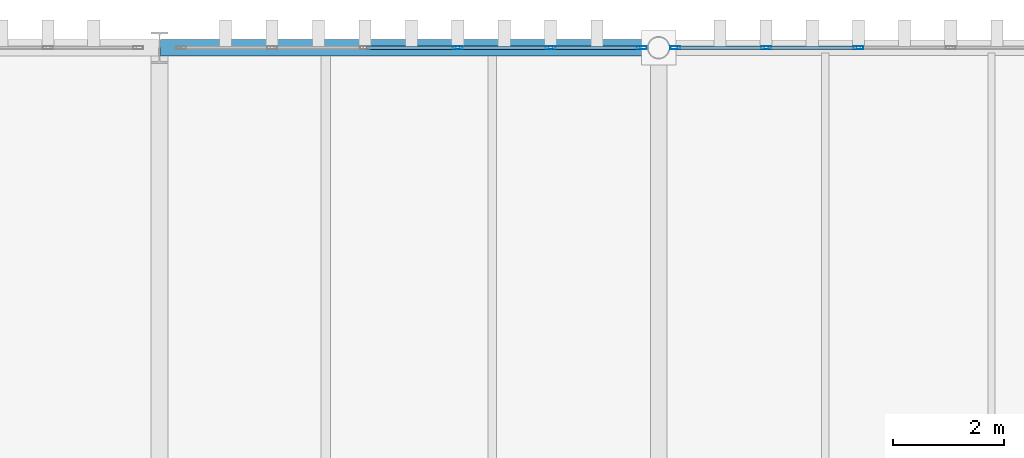
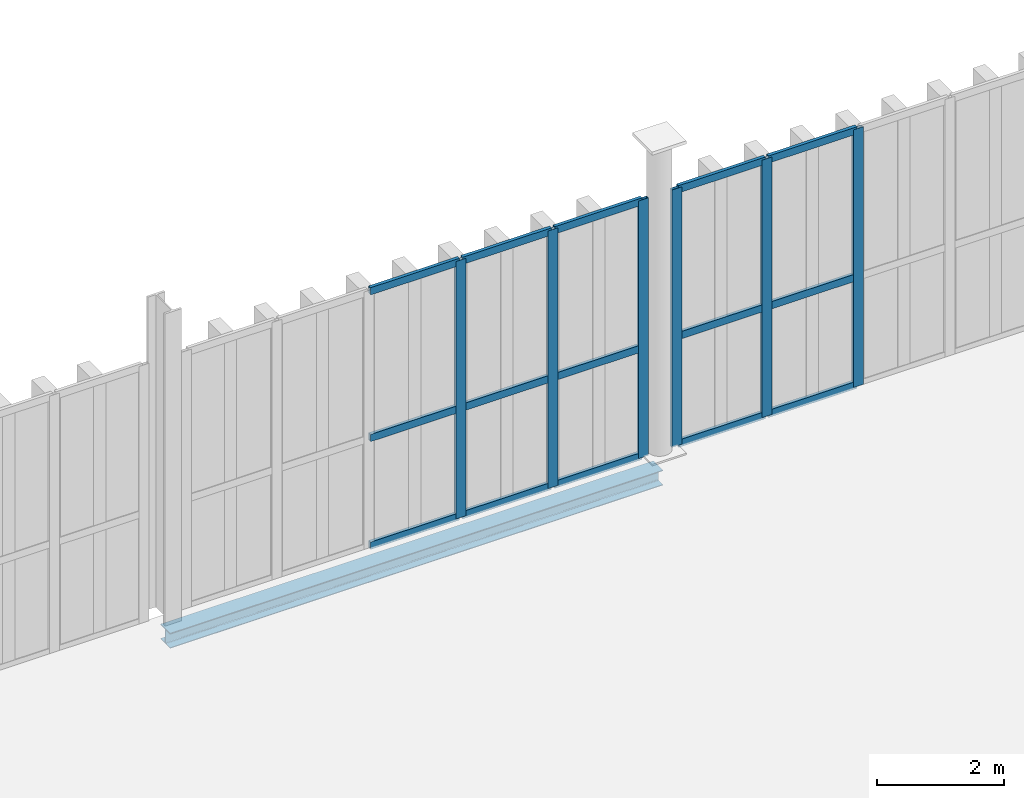
# One storey, part 141 of 211: 21 members, 1 beam, 2 elements without a shape of their own.
"""IFC4 building model written with IfcOpenShell, lengths in metres."""

from ifc_helpers import new_model, si_unit, direction, frame, origin, origin_2d, place, context, subcontext, project, spatial, hollow_rectangle, i_section, extrude, material, layer, layer_set, material_profile, profile_set, type_object, element, aggregate, save


model = new_model("IFC4")

# Units and contexts
model_context = context("Model", 3, precision=1e-05, world=origin(), true_north=direction((0.0, 1.0)))
body_context = subcontext(model_context, "Body", "Model", "MODEL_VIEW")
ifc_project = project(units=[si_unit("LENGTHUNIT", "METRE"), si_unit("AREAUNIT", "SQUARE_METRE"), si_unit("VOLUMEUNIT", "CUBIC_METRE"), si_unit("PLANEANGLEUNIT", "RADIAN"), si_unit("MASSUNIT", "GRAM", prefix="KILO")], contexts=[model_context])

# Site, building, storey
site_placement = place(None, origin())
site = spatial("IfcSite", under=ifc_project, at=site_placement, CompositionType="ELEMENT")
building_placement = place(site_placement, origin())
building = spatial("IfcBuilding", under=site, at=building_placement, Name="Barlavento Convention Centre", CompositionType="ELEMENT")
storey_placement = place(building_placement, frame((0.0, 0.0, 6.0)))
storey = spatial("IfcBuildingStorey", under=building, at=storey_placement, Name="L01", CompositionType="ELEMENT", Elevation=6.0)

# Curtain wall, members
ifc_material_1 = material(Name="Powder-coated aluminium and Low-E glass", Category="aluminium")
ifc_layer = layer(ifc_material_1, 0.179931640625)
ifc_layer_set = layer_set([ifc_layer], Name="ARC-CW-EXH-L01")
curtain_wall_type = type_object("IfcCurtainWallType", Name="ARC-CW-EXH-L01", PredefinedType="NOTDEFINED", material=ifc_layer_set)
curtain_wall_1_placement = place(storey_placement, origin())
curtain_wall_1 = element("IfcCurtainWall", 1, at=curtain_wall_1_placement, inside=storey, type_object=curtain_wall_type, Name="L01 unitised curtain wall CW04", PredefinedType="NOTDEFINED")
ifc_material_2 = material(Name="Powder-coated aluminium", Category="aluminium")
ifc_material_profile_1 = material_profile(ifc_material_2, hollow_rectangle(XDim=0.06005859375, YDim=0.179931640625, WallThickness=0.0048828125, at=origin_2d()), Name="AL-MULL 60x180x5")
ifc_profile_set_1 = profile_set([ifc_material_profile_1], Name="Powder-coated aluminium")
member_type_1 = type_object("IfcMemberType", Name="ARC-CWM-60X180", PredefinedType="MULLION", material=ifc_profile_set_1)
member_1_placement = place(storey_placement, frame((50.37841796875, 135.0, 0.0), z_axis=(0.0, 0.0, 1.0), x_axis=(0.0, 1.0, 0.0)))
member_1 = element("IfcMember", 2, at=member_1_placement, type_object=member_type_1, Name="CW04 mullion 4", PredefinedType="MULLION", context=body_context, shape_type="SweptSolid", body=[
    extrude(hollow_rectangle(XDim=0.06005859375, YDim=0.179931640625, WallThickness=0.0048828125, at=origin_2d()), origin(), (0.0, 0.0, 1.0), 4.949951171875),
])
member_2_placement = place(storey_placement, frame((52.052734375, 135.0, 0.0), z_axis=(0.0, 0.0, 1.0), x_axis=(0.0, 1.0, 0.0)))
member_2 = element("IfcMember", 3, at=member_2_placement, type_object=member_type_1, Name="CW04 mullion 5", PredefinedType="MULLION", context=body_context, shape_type="SweptSolid", body=[
    extrude(hollow_rectangle(XDim=0.06005859375, YDim=0.179931640625, WallThickness=0.0048828125, at=origin_2d()), origin(), (0.0, 0.0, 1.0), 4.949951171875),
])
member_3_placement = place(storey_placement, frame((53.69677734375, 135.0, 0.0), z_axis=(0.0, 0.0, 1.0), x_axis=(0.0, 1.0, 0.0)))
member_3 = element("IfcMember", 4, at=member_3_placement, type_object=member_type_1, Name="CW04 mullion 6", PredefinedType="MULLION", context=body_context, shape_type="SweptSolid", body=[
    extrude(hollow_rectangle(XDim=0.06005859375, YDim=0.179931640625, WallThickness=0.0048828125, at=origin_2d()), origin(), (0.0, 0.0, 1.0), 4.949951171875),
])

curtain_wall_2_placement = place(storey_placement, origin())
curtain_wall_2 = element("IfcCurtainWall", 5, at=curtain_wall_2_placement, inside=storey, type_object=curtain_wall_type, Name="L01 unitised curtain wall CW04", PredefinedType="NOTDEFINED")
member_4_placement = place(storey_placement, frame((54.30322265625, 135.0, 0.0), z_axis=(0.0, 0.0, 1.0), x_axis=(0.0, 1.0, 0.0)))
member_4 = element("IfcMember", 6, at=member_4_placement, type_object=member_type_1, Name="CW04 mullion 1", PredefinedType="MULLION", context=body_context, shape_type="SweptSolid", body=[
    extrude(hollow_rectangle(XDim=0.06005859375, YDim=0.179931640625, WallThickness=0.0048828125, at=origin_2d()), origin(), (0.0, 0.0, 1.0), 4.949951171875),
])
member_5_placement = place(storey_placement, frame((55.937744140625, 135.0, 0.0), z_axis=(0.0, 0.0, 1.0), x_axis=(0.0, 1.0, 0.0)))
member_5 = element("IfcMember", 7, at=member_5_placement, type_object=member_type_1, Name="CW04 mullion 2", PredefinedType="MULLION", context=body_context, shape_type="SweptSolid", body=[
    extrude(hollow_rectangle(XDim=0.06005859375, YDim=0.179931640625, WallThickness=0.0048828125, at=origin_2d()), origin(), (0.0, 0.0, 1.0), 4.949951171875),
])
member_6_placement = place(storey_placement, frame((57.602294921875, 135.0, 0.0), z_axis=(0.0, 0.0, 1.0), x_axis=(0.0, 1.0, 0.0)))
member_6 = element("IfcMember", 8, at=member_6_placement, type_object=member_type_1, Name="CW04 mullion 3", PredefinedType="MULLION", context=body_context, shape_type="SweptSolid", body=[
    extrude(hollow_rectangle(XDim=0.06005859375, YDim=0.179931640625, WallThickness=0.0048828125, at=origin_2d()), origin(), (0.0, 0.0, 1.0), 4.949951171875),
])

# Member
ifc_material_profile_2 = material_profile(ifc_material_2, hollow_rectangle(XDim=0.06005859375, YDim=0.139892578125, WallThickness=0.00390625, at=origin_2d()), Name="AL-TRAN 60x140x4")
ifc_profile_set_2 = profile_set([ifc_material_profile_2], Name="Powder-coated aluminium")
member_type_2 = type_object("IfcMemberType", Name="ARC-CWT-60X140", PredefinedType="USERDEFINED", material=ifc_profile_set_2)
member_7_placement = place(storey_placement, frame((48.734375, 135.0, 0.030029296875), z_axis=(1.0, 0.0, 0.0), x_axis=(0.0, 1.0, 0.0)))
member_7 = element("IfcMember", 9, at=member_7_placement, type_object=member_type_2, Name="CW04 transom 3.1", ObjectType="TRANSOM", PredefinedType="USERDEFINED", context=body_context, shape_type="SweptSolid", body=[
    extrude(hollow_rectangle(XDim=0.06005859375, YDim=0.139892578125, WallThickness=0.00390625, at=origin_2d()), origin(), (0.0, 0.0, 1.0), 1.614013671875),
])

member_8_placement = place(storey_placement, frame((48.734375, 135.0, 2.10009765625), z_axis=(1.0, 0.0, 0.0), x_axis=(0.0, 1.0, 0.0)))
member_8 = element("IfcMember", 10, at=member_8_placement, type_object=member_type_2, Name="CW04 transom 3.2", ObjectType="TRANSOM", PredefinedType="USERDEFINED", context=body_context, shape_type="SweptSolid", body=[
    extrude(hollow_rectangle(XDim=0.06005859375, YDim=0.139892578125, WallThickness=0.00390625, at=origin_2d()), origin(), (0.0, 0.0, 1.0), 1.614013671875),
])

member_9_placement = place(storey_placement, frame((48.734375, 135.0, 4.919921875), z_axis=(1.0, 0.0, 0.0), x_axis=(0.0, 1.0, 0.0)))
member_9 = element("IfcMember", 11, at=member_9_placement, type_object=member_type_2, Name="CW04 transom 3.3", ObjectType="TRANSOM", PredefinedType="USERDEFINED", context=body_context, shape_type="SweptSolid", body=[
    extrude(hollow_rectangle(XDim=0.06005859375, YDim=0.139892578125, WallThickness=0.00390625, at=origin_2d()), origin(), (0.0, 0.0, 1.0), 1.614013671875),
])

member_10_placement = place(storey_placement, frame((50.408447265625, 135.0, 0.030029296875), z_axis=(1.0, 0.0, 0.0), x_axis=(0.0, 1.0, 0.0)))
member_10 = element("IfcMember", 12, at=member_10_placement, type_object=member_type_2, Name="CW04 transom 4.1", ObjectType="TRANSOM", PredefinedType="USERDEFINED", context=body_context, shape_type="SweptSolid", body=[
    extrude(hollow_rectangle(XDim=0.06005859375, YDim=0.139892578125, WallThickness=0.00390625, at=origin_2d()), origin(), (0.0, 0.0, 1.0), 1.6142578125),
])

member_11_placement = place(storey_placement, frame((50.408447265625, 135.0, 2.10009765625), z_axis=(1.0, 0.0, 0.0), x_axis=(0.0, 1.0, 0.0)))
member_11 = element("IfcMember", 13, at=member_11_placement, type_object=member_type_2, Name="CW04 transom 4.2", ObjectType="TRANSOM", PredefinedType="USERDEFINED", context=body_context, shape_type="SweptSolid", body=[
    extrude(hollow_rectangle(XDim=0.06005859375, YDim=0.139892578125, WallThickness=0.00390625, at=origin_2d()), origin(), (0.0, 0.0, 1.0), 1.6142578125),
])

member_12_placement = place(storey_placement, frame((50.408447265625, 135.0, 4.919921875), z_axis=(1.0, 0.0, 0.0), x_axis=(0.0, 1.0, 0.0)))
member_12 = element("IfcMember", 14, at=member_12_placement, type_object=member_type_2, Name="CW04 transom 4.3", ObjectType="TRANSOM", PredefinedType="USERDEFINED", context=body_context, shape_type="SweptSolid", body=[
    extrude(hollow_rectangle(XDim=0.06005859375, YDim=0.139892578125, WallThickness=0.00390625, at=origin_2d()), origin(), (0.0, 0.0, 1.0), 1.6142578125),
])

member_13_placement = place(storey_placement, frame((52.08251953125, 135.0, 0.030029296875), z_axis=(1.0, 0.0, 0.0), x_axis=(0.0, 1.0, 0.0)))
member_13 = element("IfcMember", 15, at=member_13_placement, type_object=member_type_2, Name="CW04 transom 5.1", ObjectType="TRANSOM", PredefinedType="USERDEFINED", context=body_context, shape_type="SweptSolid", body=[
    extrude(hollow_rectangle(XDim=0.06005859375, YDim=0.139892578125, WallThickness=0.00390625, at=origin_2d()), origin(), (0.0, 0.0, 1.0), 1.584228515625),
])

member_14_placement = place(storey_placement, frame((52.08251953125, 135.0, 2.10009765625), z_axis=(1.0, 0.0, 0.0), x_axis=(0.0, 1.0, 0.0)))
member_14 = element("IfcMember", 16, at=member_14_placement, type_object=member_type_2, Name="CW04 transom 5.2", ObjectType="TRANSOM", PredefinedType="USERDEFINED", context=body_context, shape_type="SweptSolid", body=[
    extrude(hollow_rectangle(XDim=0.06005859375, YDim=0.139892578125, WallThickness=0.00390625, at=origin_2d()), origin(), (0.0, 0.0, 1.0), 1.584228515625),
])

member_15_placement = place(storey_placement, frame((52.08251953125, 135.0, 4.919921875), z_axis=(1.0, 0.0, 0.0), x_axis=(0.0, 1.0, 0.0)))
member_15 = element("IfcMember", 17, at=member_15_placement, type_object=member_type_2, Name="CW04 transom 5.3", ObjectType="TRANSOM", PredefinedType="USERDEFINED", context=body_context, shape_type="SweptSolid", body=[
    extrude(hollow_rectangle(XDim=0.06005859375, YDim=0.139892578125, WallThickness=0.00390625, at=origin_2d()), origin(), (0.0, 0.0, 1.0), 1.584228515625),
])

aggregate(curtain_wall_1, [member_1, member_2, member_3, member_7, member_8, member_9, member_10, member_11, member_12, member_13, member_14, member_15])

member_16_placement = place(storey_placement, frame((54.333251953125, 135.0, 0.030029296875), z_axis=(1.0, 0.0, 0.0), x_axis=(0.0, 1.0, 0.0)))
member_16 = element("IfcMember", 18, at=member_16_placement, type_object=member_type_2, Name="CW04 transom 1.1", ObjectType="TRANSOM", PredefinedType="USERDEFINED", context=body_context, shape_type="SweptSolid", body=[
    extrude(hollow_rectangle(XDim=0.06005859375, YDim=0.139892578125, WallThickness=0.00390625, at=origin_2d()), origin(), (0.0, 0.0, 1.0), 1.574462890625),
])

member_17_placement = place(storey_placement, frame((54.333251953125, 135.0, 2.10009765625), z_axis=(1.0, 0.0, 0.0), x_axis=(0.0, 1.0, 0.0)))
member_17 = element("IfcMember", 19, at=member_17_placement, type_object=member_type_2, Name="CW04 transom 1.2", ObjectType="TRANSOM", PredefinedType="USERDEFINED", context=body_context, shape_type="SweptSolid", body=[
    extrude(hollow_rectangle(XDim=0.06005859375, YDim=0.139892578125, WallThickness=0.00390625, at=origin_2d()), origin(), (0.0, 0.0, 1.0), 1.574462890625),
])

member_18_placement = place(storey_placement, frame((54.333251953125, 135.0, 4.919921875), z_axis=(1.0, 0.0, 0.0), x_axis=(0.0, 1.0, 0.0)))
member_18 = element("IfcMember", 20, at=member_18_placement, type_object=member_type_2, Name="CW04 transom 1.3", ObjectType="TRANSOM", PredefinedType="USERDEFINED", context=body_context, shape_type="SweptSolid", body=[
    extrude(hollow_rectangle(XDim=0.06005859375, YDim=0.139892578125, WallThickness=0.00390625, at=origin_2d()), origin(), (0.0, 0.0, 1.0), 1.574462890625),
])

member_19_placement = place(storey_placement, frame((55.9677734375, 135.0, 0.030029296875), z_axis=(1.0, 0.0, 0.0), x_axis=(0.0, 1.0, 0.0)))
member_19 = element("IfcMember", 21, at=member_19_placement, type_object=member_type_2, Name="CW04 transom 2.1", ObjectType="TRANSOM", PredefinedType="USERDEFINED", context=body_context, shape_type="SweptSolid", body=[
    extrude(hollow_rectangle(XDim=0.06005859375, YDim=0.139892578125, WallThickness=0.00390625, at=origin_2d()), origin(), (0.0, 0.0, 1.0), 1.6044921875),
])

member_20_placement = place(storey_placement, frame((55.9677734375, 135.0, 2.10009765625), z_axis=(1.0, 0.0, 0.0), x_axis=(0.0, 1.0, 0.0)))
member_20 = element("IfcMember", 22, at=member_20_placement, type_object=member_type_2, Name="CW04 transom 2.2", ObjectType="TRANSOM", PredefinedType="USERDEFINED", context=body_context, shape_type="SweptSolid", body=[
    extrude(hollow_rectangle(XDim=0.06005859375, YDim=0.139892578125, WallThickness=0.00390625, at=origin_2d()), origin(), (0.0, 0.0, 1.0), 1.6044921875),
])

member_21_placement = place(storey_placement, frame((55.9677734375, 135.0, 4.919921875), z_axis=(1.0, 0.0, 0.0), x_axis=(0.0, 1.0, 0.0)))
member_21 = element("IfcMember", 23, at=member_21_placement, type_object=member_type_2, Name="CW04 transom 2.3", ObjectType="TRANSOM", PredefinedType="USERDEFINED", context=body_context, shape_type="SweptSolid", body=[
    extrude(hollow_rectangle(XDim=0.06005859375, YDim=0.139892578125, WallThickness=0.00390625, at=origin_2d()), origin(), (0.0, 0.0, 1.0), 1.6044921875),
])

aggregate(curtain_wall_2, [member_4, member_5, member_6, member_16, member_17, member_18, member_19, member_20, member_21])

# Beam
ifc_material_3 = material(Name="Steel S355", Category="steel")
ifc_material_profile_3 = material_profile(ifc_material_3, i_section(OverallWidth=0.300048828125, OverallDepth=0.2900390625, WebThickness=0.008544921875, FlangeThickness=0.013916015625, FilletRadius=0.027099609375, at=origin_2d()), Name="HEA 300")
ifc_profile_set_3 = profile_set([ifc_material_profile_3], Name="Steel S355")
beam_type = type_object("IfcBeamType", Name="STR-BM-SPN-HEA300", PredefinedType="SPANDREL", material=ifc_profile_set_3)
beam_placement = place(storey_placement, frame((45.02001953125, 135.0, -0.425048828125), z_axis=(1.0, 0.0, 0.0), x_axis=(0.0, 1.0, 0.0)))
element("IfcBeam", 24, at=beam_placement, inside=storey, type_object=beam_type, Name="L01 primary girder SP02", PredefinedType="SPANDREL", context=body_context, shape_type="SweptSolid", body=[
    extrude(i_section(OverallWidth=0.300048828125, OverallDepth=0.2900390625, WebThickness=0.008544921875, FlangeThickness=0.013916015625, FilletRadius=0.027099609375, at=origin_2d()), origin(), (0.0, 0.0, 1.0), 8.9599609375),
])

save(model, "model.ifc")
